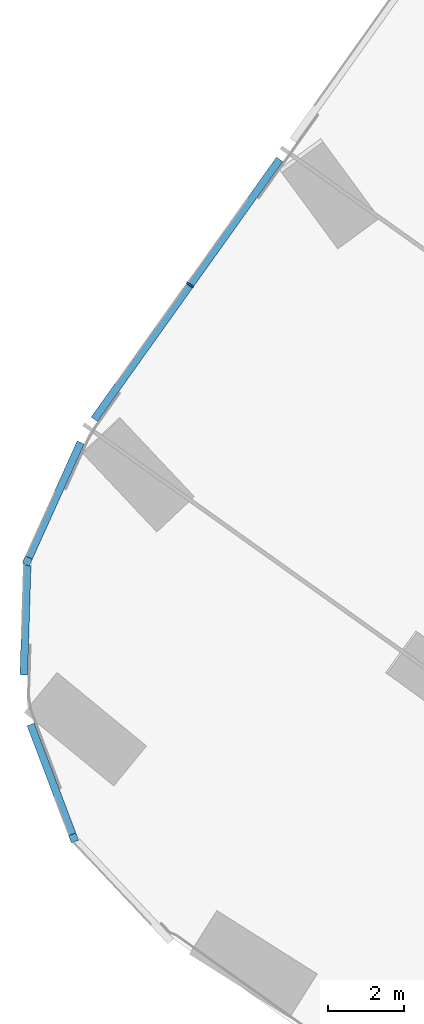
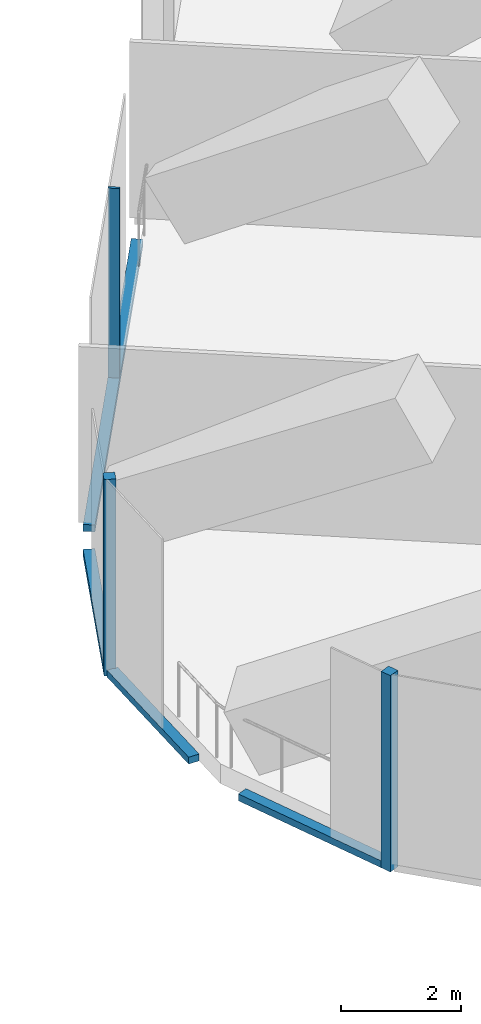
# One storey, part 4 of 34: 7 members, 4 elements without a shape of their own.
"""IFC4 building model written with IfcOpenShell, lengths in metres."""

from ifc_helpers import new_model, si_unit, direction, frame, origin, origin_2d, place, context, subcontext, project, spatial, rectangle, extrude, material, material_profile, profile_set, type_object, element, aggregate, save


model = new_model("IFC4")

# Units and contexts
model_context = context("Model", 3, precision=1e-05, world=origin(), true_north=direction((0.0, 1.0)))
body_context = subcontext(model_context, "Body", "Model", "MODEL_VIEW")
ifc_project = project(units=[si_unit("LENGTHUNIT", "METRE"), si_unit("AREAUNIT", "SQUARE_METRE"), si_unit("VOLUMEUNIT", "CUBIC_METRE"), si_unit("PLANEANGLEUNIT", "RADIAN"), si_unit("MASSUNIT", "GRAM", prefix="KILO")], contexts=[model_context])

# Site, building, storey
site_placement = place(None, origin())
site = spatial("IfcSite", under=ifc_project, at=site_placement, CompositionType="ELEMENT")
building_placement = place(site_placement, origin())
building = spatial("IfcBuilding", under=site, at=building_placement, Name="Orlundy Tower", CompositionType="ELEMENT")
storey_placement = place(building_placement, frame((0.0, 0.0, 98.199951171875)))
storey = spatial("IfcBuildingStorey", under=building, at=storey_placement, Name="L24", CompositionType="ELEMENT", Elevation=98.199951171875)

# Curtain wall, member
ifc_material_1 = material(Name="Aluminium bronze anodised", Category="aluminium")
curtain_wall_type = type_object("IfcCurtainWallType", Name="CW5 wall", PredefinedType="NOTDEFINED", material=ifc_material_1)
curtain_wall_1_placement = place(storey_placement, origin())
curtain_wall_1 = element("IfcCurtainWall", 1, at=curtain_wall_1_placement, inside=storey, type_object=curtain_wall_type, Name="CW5 run 09", PredefinedType="NOTDEFINED")
ifc_material_2 = material(Name="Aluminium bronze anodised", Category="aluminium")
ifc_material_profile_1 = material_profile(ifc_material_2, rectangle(XDim=0.199951171875, YDim=0.199951171875, at=origin_2d()), Name="CW5 corner post 200x200")
ifc_profile_set_1 = profile_set([ifc_material_profile_1], Name="Aluminium bronze anodised")
member_type_1 = type_object("IfcMemberType", Name="CW5 corner post 200x200", PredefinedType="MULLION", material=ifc_profile_set_1)
member_1_placement = place(storey_placement, frame((-46.307373046875, -40.510986328125, -0.39990234375), z_axis=(0.0, 0.0, 1.0), x_axis=(-0.935182458523, -0.354166301715, 0.0)))
member_1 = element("IfcMember", 2, at=member_1_placement, type_object=member_type_1, Name="CW5 mullion 17", PredefinedType="MULLION", context=body_context, shape_type="SweptSolid", body=[
    extrude(rectangle(XDim=0.199951171875, YDim=0.199951171875, at=origin_2d()), origin(), (0.0, 0.0, 1.0), 4.0),
])

curtain_wall_2_placement = place(storey_placement, origin())
curtain_wall_2 = element("IfcCurtainWall", 3, at=curtain_wall_2_placement, inside=storey, type_object=curtain_wall_type, Name="CW5 run 011", PredefinedType="NOTDEFINED")
member_2_placement = place(storey_placement, frame((-47.520263671875, -33.261962890625, -0.39990234375), z_axis=(0.0, 0.0, 1.0), x_axis=(-0.911673970719, 0.410914311157, 0.0)))
member_2 = element("IfcMember", 4, at=member_2_placement, type_object=member_type_1, Name="CW5 mullion 19", PredefinedType="MULLION", context=body_context, shape_type="SweptSolid", body=[
    extrude(rectangle(XDim=0.199951171875, YDim=0.199951171875, at=origin_2d()), origin(), (0.0, 0.0, 1.0), 4.0),
])

curtain_wall_3_placement = place(storey_placement, origin())
curtain_wall_3 = element("IfcCurtainWall", 5, at=curtain_wall_3_placement, inside=storey, type_object=curtain_wall_type, Name="CW5 run 012", PredefinedType="NOTDEFINED")
ifc_material_3 = material(Name="Aluminium bronze anodised", Category="aluminium")
ifc_material_profile_2 = material_profile(ifc_material_3, rectangle(XDim=0.199951171875, YDim=0.050048828125, at=origin_2d()), Name="CW5 mullion 50x200")
ifc_profile_set_2 = profile_set([ifc_material_profile_2], Name="Aluminium bronze anodised")
member_type_2 = type_object("IfcMemberType", Name="CW5 mullion 50x200", PredefinedType="MULLION", material=ifc_profile_set_2)
member_3_placement = place(storey_placement, frame((-43.259521484375, -26.034423828125, -0.39990234375), z_axis=(0.0, 0.0, 1.0), x_axis=(-0.814129962305, 0.580682705509, 0.0)))
member_3 = element("IfcMember", 6, at=member_3_placement, type_object=member_type_2, Name="CW5 mullion 21", PredefinedType="MULLION", context=body_context, shape_type="SweptSolid", body=[
    extrude(rectangle(XDim=0.199951171875, YDim=0.050048828125, at=origin_2d()), origin(), (0.0, 0.0, 1.0), 4.0),
])

# Member
ifc_material_4 = material(Name="Aluminium bronze anodised", Category="aluminium")
ifc_material_profile_3 = material_profile(ifc_material_4, rectangle(XDim=0.199951171875, YDim=0.139892578125, at=origin_2d()), Name="CW5 transom 200x140")
ifc_profile_set_3 = profile_set([ifc_material_profile_3], Name="Aluminium bronze anodised")
member_type_3 = type_object("IfcMemberType", Name="CW5 transom 200x140", PredefinedType="USERDEFINED", material=ifc_profile_set_3)
member_4_placement = place(storey_placement, frame((-46.3427734375, -40.41748046875, -0.329833984375), z_axis=(-0.354235476209, 0.935156258277, 0.0), x_axis=(-0.935156258277, -0.354235476209, 0.0)))
member_4 = element("IfcMember", 7, at=member_4_placement, type_object=member_type_3, Name="CW5 transom", ObjectType="TRANSOM", PredefinedType="USERDEFINED", context=body_context, shape_type="SweptSolid", body=[
    extrude(rectangle(XDim=0.199951171875, YDim=0.139892578125, at=origin_2d()), origin(), (0.0, 0.0, 1.0), 3.075927734375),
])

aggregate(curtain_wall_1, [member_1, member_4])

# Curtain wall, member
curtain_wall_4_placement = place(storey_placement, origin())
curtain_wall_4 = element("IfcCurtainWall", 8, at=curtain_wall_4_placement, inside=storey, type_object=curtain_wall_type, Name="CW5 run 010", PredefinedType="NOTDEFINED")
member_5_placement = place(storey_placement, frame((-47.611083984375, -36.240966796875, -0.329833984375), z_axis=(0.030433251818, 0.999536801315, 0.0), x_axis=(-0.999536801315, 0.030433251818, 0.0)))
member_5 = element("IfcMember", 9, at=member_5_placement, type_object=member_type_3, Name="CW5 transom", ObjectType="TRANSOM", PredefinedType="USERDEFINED", context=body_context, shape_type="SweptSolid", body=[
    extrude(rectangle(XDim=0.199951171875, YDim=0.139892578125, at=origin_2d()), origin(), (0.0, 0.0, 1.0), 2.871826171875),
])
aggregate(curtain_wall_4, [member_5])

# Member
member_6_placement = place(storey_placement, frame((-47.479248046875, -33.1708984375, -0.329833984375), z_axis=(0.410895924781, 0.911682257697, 0.0), x_axis=(-0.911682257697, 0.410895924781, 0.0)))
member_6 = element("IfcMember", 10, at=member_6_placement, type_object=member_type_3, Name="CW5 transom", ObjectType="TRANSOM", PredefinedType="USERDEFINED", context=body_context, shape_type="SweptSolid", body=[
    extrude(rectangle(XDim=0.199951171875, YDim=0.139892578125, at=origin_2d()), origin(), (0.0, 0.0, 1.0), 3.305419921875),
])

aggregate(curtain_wall_2, [member_2, member_6])

member_7_placement = place(storey_placement, frame((-45.766845703125, -29.550048828125, -0.329833984375), z_axis=(0.580668790812, 0.814139886861, 0.0), x_axis=(-0.814139886861, 0.580668790812, 0.0)))
member_7 = element("IfcMember", 11, at=member_7_placement, type_object=member_type_3, Name="CW5 transom", ObjectType="TRANSOM", PredefinedType="USERDEFINED", context=body_context, shape_type="SweptSolid", body=[
    extrude(rectangle(XDim=0.199951171875, YDim=0.139892578125, at=origin_2d()), origin(), (0.0, 0.0, 1.0), 8.357177734375),
])

aggregate(curtain_wall_3, [member_3, member_7])

save(model, "model.ifc")
